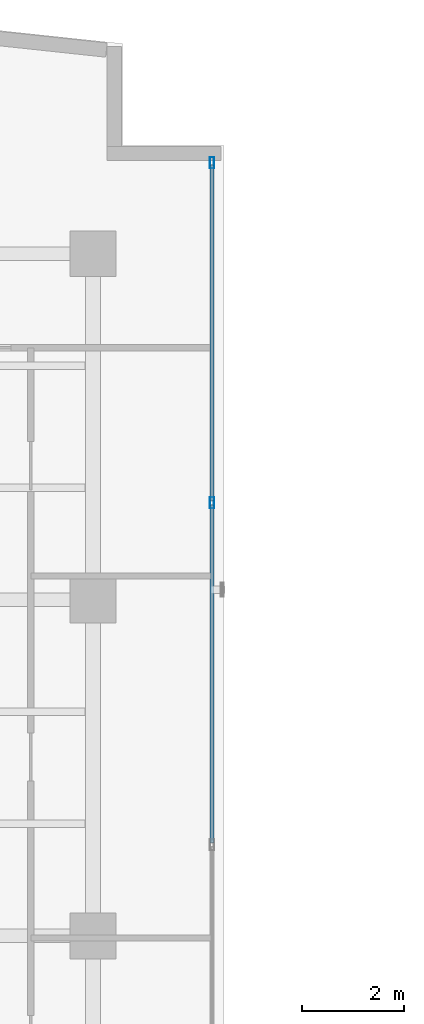
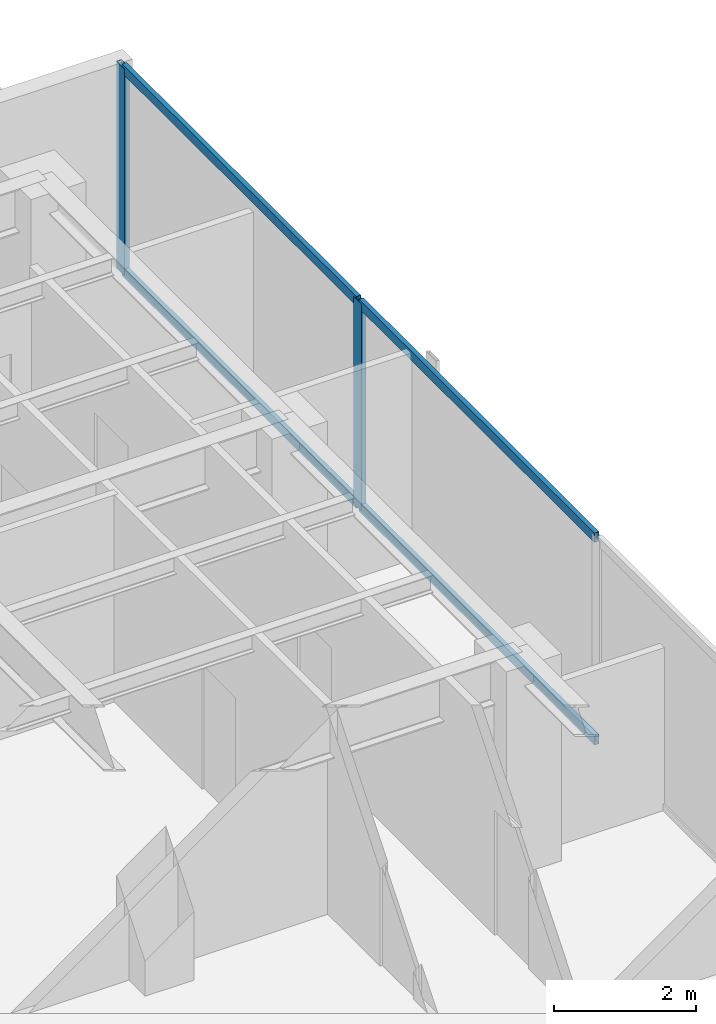
# One storey, part 15 of 23: 6 members, 1 element without a shape of its own.
"""IFC4 building model written with IfcOpenShell, lengths in metres."""

from ifc_helpers import new_model, si_unit, direction, frame, origin, origin_with_axes, origin_2d, place, context, subcontext, project, spatial, hollow_rectangle, extrude, source, transform, mapped, material, layer, layer_set, material_profile, profile_set, type_object, element, aggregate, save


model = new_model("IFC4")

# Units and contexts
model_context = context("Model", 3, precision=1e-05, world=origin(), true_north=direction((0.0, 1.0)))
body_context = subcontext(model_context, "Body", "Model", "MODEL_VIEW")
ifc_project = project(units=[si_unit("LENGTHUNIT", "METRE"), si_unit("AREAUNIT", "SQUARE_METRE"), si_unit("VOLUMEUNIT", "CUBIC_METRE"), si_unit("PLANEANGLEUNIT", "RADIAN"), si_unit("MASSUNIT", "GRAM", prefix="KILO")], contexts=[model_context])

# Site, building, storey
site_placement = place(None, origin())
site = spatial("IfcSite", under=ifc_project, at=site_placement, CompositionType="ELEMENT")
building_placement = place(site_placement, origin())
building = spatial("IfcBuilding", under=site, at=building_placement, Name="Kolvaren Waterfront Exchange", CompositionType="ELEMENT")
storey_placement = place(building_placement, frame((0.0, 0.0, 270.39990234375)))
storey = spatial("IfcBuildingStorey", under=building, at=storey_placement, Name="L69", CompositionType="ELEMENT", Elevation=270.39990234375)

# Curtain wall, members
ifc_material_1 = material(Name="Anodised bronze aluminium 6063-T6", Category="aluminium")
ifc_layer = layer(ifc_material_1, 0.219970703125, Name="Anodised bronze aluminium 6063-T6")
ifc_layer_set = layer_set([ifc_layer], Name="Anodised bronze aluminium 6063-T6")
curtain_wall_type = type_object("IfcCurtainWallType", Name="ARC-CW-SYS1", PredefinedType="USERDEFINED", material=ifc_layer_set)
curtain_wall_placement = place(storey_placement, origin())
curtain_wall = element("IfcCurtainWall", 1, at=curtain_wall_placement, inside=storey, type_object=curtain_wall_type, Name="L69 stick curtain wall CW1 (CW-L69-NE)", ObjectType="STICK CURTAIN WALL", PredefinedType="USERDEFINED")
ifc_material_2 = material(Name="Anodised aluminium 6063-T6", Category="aluminium")
ifc_material_profile_1 = material_profile(ifc_material_2, hollow_rectangle(XDim=0.080078125, YDim=0.219970703125, WallThickness=0.0048828125, at=origin_2d()), Name="ALU-MUL-220x80x5")
ifc_profile_set_1 = profile_set([ifc_material_profile_1], Name="Anodised aluminium 6063-T6")
member_type_1 = type_object("IfcMemberType", Name="ARC-CWM-220", PredefinedType="MULLION", material=ifc_profile_set_1)
shared_shape_1 = source(origin_with_axes(), body_context, "Body", "SweptSolid", [
    extrude(hollow_rectangle(XDim=0.080078125, YDim=0.219970703125, WallThickness=0.0048828125, at=origin_2d()), origin(), (0.0, 0.0, 1.0), 3.56005859375),
])
member_1_placement = place(storey_placement, frame((21.138916015625, 39.707275390625, 0.0), z_axis=(0.0, 0.0, 1.0), x_axis=(-1.0, 0.0, 0.0)))
member_1 = element("IfcMember", 2, at=member_1_placement, type_object=member_type_1, Name="CW1 mullion 3", PredefinedType="MULLION", context=body_context, shape_type="MappedRepresentation", body=[
    mapped(shared_shape_1, transform((0.0, 0.0, 0.0), x_axis=(1.0, 0.0, 0.0), y_axis=(0.0, 1.0, 0.0), z_axis=(0.0, 0.0, 1.0), scale=1.0)),
])
member_2_placement = place(storey_placement, frame((21.138916015625, 46.38623046875, 0.0), z_axis=(0.0, 0.0, 1.0), x_axis=(-1.0, 0.0, 0.0)))
member_2 = element("IfcMember", 3, at=member_2_placement, type_object=member_type_1, Name="CW1 mullion 4", PredefinedType="MULLION", context=body_context, shape_type="MappedRepresentation", body=[
    mapped(shared_shape_1, transform((0.0, 0.0, 0.0), x_axis=(1.0, 0.0, 0.0), y_axis=(0.0, 1.0, 0.0), z_axis=(0.0, 0.0, 1.0), scale=1.0)),
])
ifc_material_profile_2 = material_profile(ifc_material_2, hollow_rectangle(XDim=0.074951171875, YDim=0.159912109375, WallThickness=0.00439453125, at=origin_2d()), Name="ALU-TRN-160x75x4.5")
ifc_profile_set_2 = profile_set([ifc_material_profile_2], Name="Anodised aluminium 6063-T6")
member_type_2 = type_object("IfcMemberType", Name="ARC-CWT-160", PredefinedType="USERDEFINED", material=ifc_profile_set_2)
shared_shape_2 = source(origin_with_axes(), body_context, "Body", "SweptSolid", [
    extrude(hollow_rectangle(XDim=0.074951171875, YDim=0.159912109375, WallThickness=0.00439453125, at=origin_2d()), origin(), (0.0, 0.0, 1.0), 6.59912109375),
])
member_3_placement = place(storey_placement, frame((21.138916015625, 39.7470703125, 0.03759765625), z_axis=(0.0, 1.0, 0.0), x_axis=(-1.0, 0.0, 0.0)))
member_3 = element("IfcMember", 4, at=member_3_placement, type_object=member_type_2, Name="CW1 transom 3.1", ObjectType="TRANSOM", PredefinedType="USERDEFINED", context=body_context, shape_type="MappedRepresentation", body=[
    mapped(shared_shape_2, transform((0.0, 0.0, 0.0), x_axis=(1.0, 0.0, 0.0), y_axis=(0.0, 1.0, 0.0), z_axis=(0.0, 0.0, 1.0), scale=1.0)),
])
member_4_placement = place(storey_placement, frame((21.138916015625, 39.7470703125, 3.522705078125), z_axis=(0.0, 1.0, 0.0), x_axis=(-1.0, 0.0, 0.0)))
member_4 = element("IfcMember", 5, at=member_4_placement, type_object=member_type_2, Name="CW1 transom 3.2", ObjectType="TRANSOM", PredefinedType="USERDEFINED", context=body_context, shape_type="MappedRepresentation", body=[
    mapped(shared_shape_2, transform((0.0, 0.0, 0.0), x_axis=(1.0, 0.0, 0.0), y_axis=(0.0, 1.0, 0.0), z_axis=(0.0, 0.0, 1.0), scale=1.0)),
])
shared_shape_3 = source(origin_with_axes(), body_context, "Body", "SweptSolid", [
    extrude(hollow_rectangle(XDim=0.074951171875, YDim=0.159912109375, WallThickness=0.00439453125, at=origin_2d()), origin(), (0.0, 0.0, 1.0), 6.63916015625),
])
member_5_placement = place(storey_placement, frame((21.138916015625, 33.028076171875, 0.03759765625), z_axis=(0.0, 1.0, 0.0), x_axis=(-1.0, 0.0, 0.0)))
member_5 = element("IfcMember", 6, at=member_5_placement, type_object=member_type_2, Name="CW1 transom 2.1", ObjectType="TRANSOM", PredefinedType="USERDEFINED", context=body_context, shape_type="MappedRepresentation", body=[
    mapped(shared_shape_3, transform((0.0, 0.0, 0.0), x_axis=(1.0, 0.0, 0.0), y_axis=(0.0, 1.0, 0.0), z_axis=(0.0, 0.0, 1.0), scale=1.0)),
])
member_6_placement = place(storey_placement, frame((21.138916015625, 33.028076171875, 3.522705078125), z_axis=(0.0, 1.0, 0.0), x_axis=(-1.0, 0.0, 0.0)))
member_6 = element("IfcMember", 7, at=member_6_placement, type_object=member_type_2, Name="CW1 transom 2.2", ObjectType="TRANSOM", PredefinedType="USERDEFINED", context=body_context, shape_type="MappedRepresentation", body=[
    mapped(shared_shape_3, transform((0.0, 0.0, 0.0), x_axis=(1.0, 0.0, 0.0), y_axis=(0.0, 1.0, 0.0), z_axis=(0.0, 0.0, 1.0), scale=1.0)),
])
aggregate(curtain_wall, [member_1, member_2, member_5, member_6, member_3, member_4])

save(model, "model.ifc")
